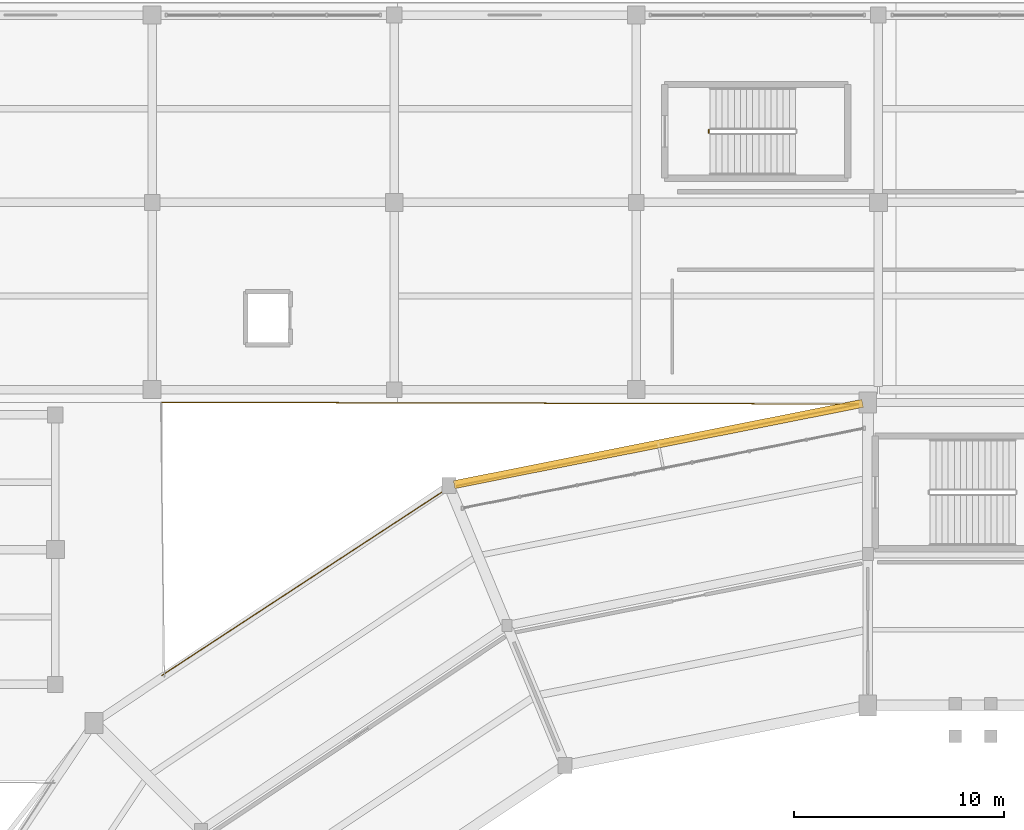
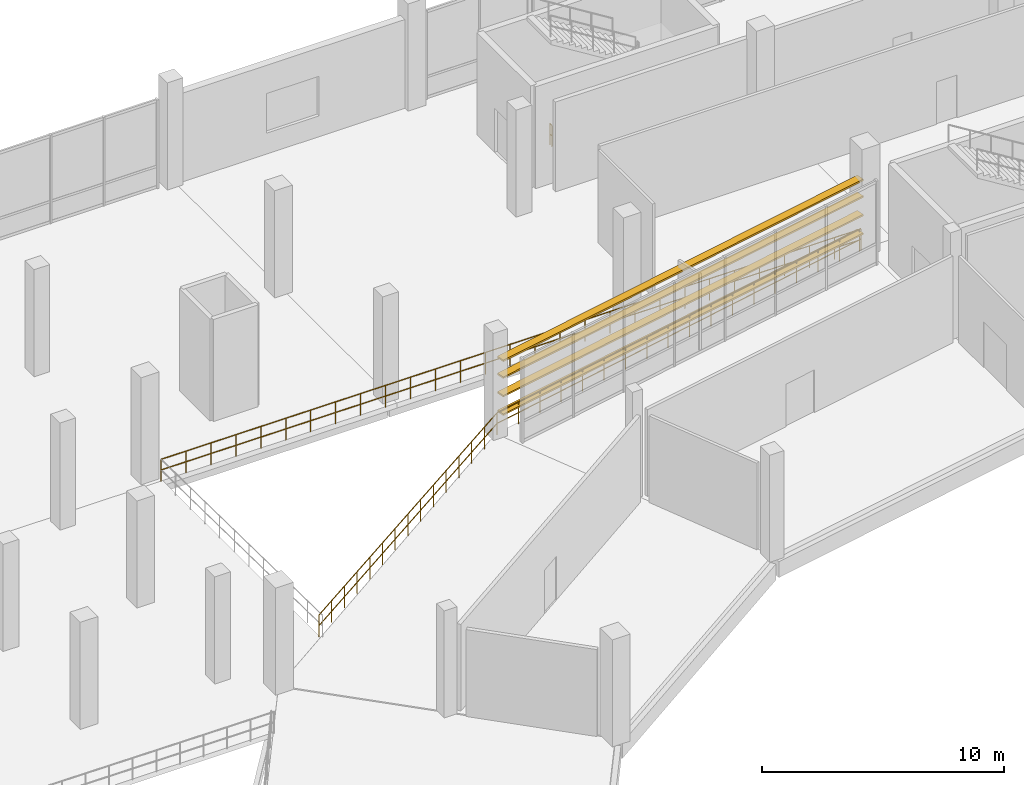
# One storey, part 108 of 114: 4 railings, 4 shading devices.
"""IFC4 building model written with IfcOpenShell, lengths in metres."""

from ifc_helpers import new_model, si_unit, direction, frame, origin, origin_2d, place, context, subcontext, project, spatial, rectangle, circle, extrude, material, layer, layer_set, type_object, element, save


model = new_model("IFC4")

# Units and contexts
model_context = context("Model", 3, precision=1e-05, world=origin(), true_north=direction((0.0, 1.0)))
body_context = subcontext(model_context, "Body", "Model", "MODEL_VIEW")
ifc_project = project(units=[si_unit("LENGTHUNIT", "METRE"), si_unit("AREAUNIT", "SQUARE_METRE"), si_unit("VOLUMEUNIT", "CUBIC_METRE"), si_unit("PLANEANGLEUNIT", "RADIAN"), si_unit("MASSUNIT", "GRAM", prefix="KILO")], contexts=[model_context])

# Site, building, storey
site_placement = place(None, origin())
site = spatial("IfcSite", under=ifc_project, at=site_placement, CompositionType="ELEMENT")
building_placement = place(site_placement, origin())
building = spatial("IfcBuilding", under=site, at=building_placement, Name="Candeia Ridge Stadium", CompositionType="ELEMENT")
storey_placement = place(building_placement, frame((0.0, 0.0, 5.39990234375)))
storey = spatial("IfcBuildingStorey", under=building, at=storey_placement, Name="L01", CompositionType="ELEMENT", Elevation=5.39990234375)

# Railings
ifc_material_1 = material(Name="Galvanized Powder-Coated Steel", Category="steel")
ifc_layer_1 = layer(ifc_material_1, 0.074951171875, Name="Galvanized Powder-Coated Steel", Category="steel")
ifc_layer_set_1 = layer_set([ifc_layer_1], Name="Galvanized Powder-Coated Steel")
railing_type_1 = type_object("IfcRailingType", Name="Spectator Bowl Front Guardrail 1120", PredefinedType="GUARDRAIL", material=ifc_layer_set_1)
railing_1_placement = place(storey_placement, frame((37.45556640625, 134.020751953125, 0.0)))
element("IfcRailing", 1, at=railing_1_placement, inside=storey, type_object=railing_type_1, Name="Deck edge safety guardrail GR-DE-L01-0039", PredefinedType="GUARDRAIL", context=body_context, shape_type="SweptSolid", body=[
    extrude(circle(Radius=0.02392578125, at=origin_2d()), frame((0.0, 0.0, 1.09619140625), z_axis=(0.836677098571, 0.547696478651, 0.0), x_axis=(-0.547696478651, 0.836677098571, 0.0)), (0.0, 0.0, 1.0), 16.3271484375),
    extrude(circle(Radius=0.02392578125, at=origin_2d()), frame((0.0, 0.0, 0.56005859375), z_axis=(0.836677098571, 0.547696478651, 0.0), x_axis=(-0.547696478651, 0.836677098571, 0.0)), (0.0, 0.0, 1.0), 16.3271484375),
    extrude(circle(Radius=0.02099609375, at=origin_2d()), origin(), (0.0, 0.0, 1.0), 1.072021484375),
    extrude(circle(Radius=0.02099609375, at=origin_2d()), frame((0.975830078125, 0.638671875, 0.0)), (0.0, 0.0, 1.0), 1.072021484375),
    extrude(circle(Radius=0.02099609375, at=origin_2d()), frame((1.951416015625, 1.277587890625, 0.0)), (0.0, 0.0, 1.0), 1.072021484375),
    extrude(circle(Radius=0.02099609375, at=origin_2d()), frame((2.92724609375, 1.916259765625, 0.0)), (0.0, 0.0, 1.0), 1.072021484375),
    extrude(circle(Radius=0.02099609375, at=origin_2d()), frame((3.903076171875, 2.554931640625, 0.0)), (0.0, 0.0, 1.0), 1.072021484375),
    extrude(circle(Radius=0.02099609375, at=origin_2d()), frame((4.87890625, 3.193603515625, 0.0)), (0.0, 0.0, 1.0), 1.072021484375),
    extrude(circle(Radius=0.02099609375, at=origin_2d()), frame((5.8544921875, 3.83251953125, 0.0)), (0.0, 0.0, 1.0), 1.072021484375),
    extrude(circle(Radius=0.02099609375, at=origin_2d()), frame((6.830322265625, 4.47119140625, 0.0)), (0.0, 0.0, 1.0), 1.072021484375),
    extrude(circle(Radius=0.02099609375, at=origin_2d()), frame((7.80615234375, 5.10986328125, 0.0)), (0.0, 0.0, 1.0), 1.072021484375),
    extrude(circle(Radius=0.02099609375, at=origin_2d()), frame((8.78173828125, 5.748779296875, 0.0)), (0.0, 0.0, 1.0), 1.072021484375),
    extrude(circle(Radius=0.02099609375, at=origin_2d()), frame((9.757568359375, 6.387451171875, 0.0)), (0.0, 0.0, 1.0), 1.072021484375),
    extrude(circle(Radius=0.02099609375, at=origin_2d()), frame((10.7333984375, 7.026123046875, 0.0)), (0.0, 0.0, 1.0), 1.072021484375),
    extrude(circle(Radius=0.02099609375, at=origin_2d()), frame((11.709228515625, 7.664794921875, 0.0)), (0.0, 0.0, 1.0), 1.072021484375),
    extrude(circle(Radius=0.02099609375, at=origin_2d()), frame((12.684814453125, 8.3037109375, 0.0)), (0.0, 0.0, 1.0), 1.072021484375),
    extrude(circle(Radius=0.02099609375, at=origin_2d()), frame((13.66064453125, 8.9423828125, 0.0)), (0.0, 0.0, 1.0), 1.072021484375),
])
railing_2_placement = place(storey_placement, frame((51.1162109375, 142.963134765625, 0.0)))
element("IfcRailing", 2, at=railing_2_placement, inside=storey, type_object=railing_type_1, Name="Deck edge safety guardrail GR-DE-L01-0040", PredefinedType="GUARDRAIL", context=body_context, shape_type="SweptSolid", body=[
    extrude(circle(Radius=0.02392578125, at=origin_2d()), frame((0.0, 0.0, 1.09619140625), z_axis=(0.980074126306, 0.198632089417, 0.0), x_axis=(-0.198632089417, 0.980074126306, 0.0)), (0.0, 0.0, 1.0), 20.055419921875),
    extrude(circle(Radius=0.02392578125, at=origin_2d()), frame((0.0, 0.0, 0.56005859375), z_axis=(0.980074126306, 0.198632089417, 0.0), x_axis=(-0.198632089417, 0.980074126306, 0.0)), (0.0, 0.0, 1.0), 20.055419921875),
    extrude(circle(Radius=0.02099609375, at=origin_2d()), origin(), (0.0, 0.0, 1.0), 1.072021484375),
    extrude(circle(Radius=0.02099609375, at=origin_2d()), frame((1.15625, 0.234375, 0.0)), (0.0, 0.0, 1.0), 1.072021484375),
    extrude(circle(Radius=0.02099609375, at=origin_2d()), frame((2.3125, 0.46875, 0.0)), (0.0, 0.0, 1.0), 1.072021484375),
    extrude(circle(Radius=0.02099609375, at=origin_2d()), frame((3.46875, 0.702880859375, 0.0)), (0.0, 0.0, 1.0), 1.072021484375),
    extrude(circle(Radius=0.02099609375, at=origin_2d()), frame((4.625, 0.937255859375, 0.0)), (0.0, 0.0, 1.0), 1.072021484375),
    extrude(circle(Radius=0.02099609375, at=origin_2d()), frame((5.781005859375, 1.171630859375, 0.0)), (0.0, 0.0, 1.0), 1.072021484375),
    extrude(circle(Radius=0.02099609375, at=origin_2d()), frame((6.937255859375, 1.406005859375, 0.0)), (0.0, 0.0, 1.0), 1.072021484375),
    extrude(circle(Radius=0.02099609375, at=origin_2d()), frame((8.093505859375, 1.640380859375, 0.0)), (0.0, 0.0, 1.0), 1.072021484375),
    extrude(circle(Radius=0.02099609375, at=origin_2d()), frame((9.249755859375, 1.874755859375, 0.0)), (0.0, 0.0, 1.0), 1.072021484375),
    extrude(circle(Radius=0.02099609375, at=origin_2d()), frame((10.406005859375, 2.10888671875, 0.0)), (0.0, 0.0, 1.0), 1.072021484375),
    extrude(circle(Radius=0.02099609375, at=origin_2d()), frame((11.562255859375, 2.34326171875, 0.0)), (0.0, 0.0, 1.0), 1.072021484375),
    extrude(circle(Radius=0.02099609375, at=origin_2d()), frame((12.718505859375, 2.57763671875, 0.0)), (0.0, 0.0, 1.0), 1.072021484375),
    extrude(circle(Radius=0.02099609375, at=origin_2d()), frame((13.874755859375, 2.81201171875, 0.0)), (0.0, 0.0, 1.0), 1.072021484375),
    extrude(circle(Radius=0.02099609375, at=origin_2d()), frame((15.03076171875, 3.04638671875, 0.0)), (0.0, 0.0, 1.0), 1.072021484375),
    extrude(circle(Radius=0.02099609375, at=origin_2d()), frame((16.18701171875, 3.28076171875, 0.0)), (0.0, 0.0, 1.0), 1.072021484375),
    extrude(circle(Radius=0.02099609375, at=origin_2d()), frame((17.34326171875, 3.514892578125, 0.0)), (0.0, 0.0, 1.0), 1.072021484375),
    extrude(circle(Radius=0.02099609375, at=origin_2d()), frame((18.49951171875, 3.749267578125, 0.0)), (0.0, 0.0, 1.0), 1.072021484375),
    extrude(circle(Radius=0.02099609375, at=origin_2d()), frame((19.65576171875, 3.983642578125, 0.0)), (0.0, 0.0, 1.0), 1.072021484375),
])
railing_3_placement = place(storey_placement, frame((70.686279296875, 146.919921875, 0.0)))
element("IfcRailing", 3, at=railing_3_placement, inside=storey, type_object=railing_type_1, Name="Deck edge safety guardrail GR-DE-L01-0041", PredefinedType="GUARDRAIL", context=body_context, shape_type="SweptSolid", body=[
    extrude(circle(Radius=0.02392578125, at=origin_2d()), frame((0.0, 0.0, 1.09619140625), z_axis=(-0.999997102754, 0.002407173469, 0.0), x_axis=(-0.002407173469, -0.999997102754, 0.0)), (0.0, 0.0, 1.0), 33.266357421875),
    extrude(circle(Radius=0.02392578125, at=origin_2d()), frame((0.0, 0.0, 0.56005859375), z_axis=(-0.999997102754, 0.002407173469, 0.0), x_axis=(-0.002407173469, -0.999997102754, 0.0)), (0.0, 0.0, 1.0), 33.266357421875),
    extrude(circle(Radius=0.02099609375, at=origin_2d()), origin(), (0.0, 0.0, 1.0), 1.072021484375),
    extrude(circle(Radius=0.02099609375, at=origin_2d()), frame((-1.18798828125, 0.0029296875, 0.0)), (0.0, 0.0, 1.0), 1.072021484375),
    extrude(circle(Radius=0.02099609375, at=origin_2d()), frame((-2.376220703125, 0.005615234375, 0.0)), (0.0, 0.0, 1.0), 1.072021484375),
    extrude(circle(Radius=0.02099609375, at=origin_2d()), frame((-3.564208984375, 0.008544921875, 0.0)), (0.0, 0.0, 1.0), 1.072021484375),
    extrude(circle(Radius=0.02099609375, at=origin_2d()), frame((-4.75244140625, 0.011474609375, 0.0)), (0.0, 0.0, 1.0), 1.072021484375),
    extrude(circle(Radius=0.02099609375, at=origin_2d()), frame((-5.9404296875, 0.014404296875, 0.0)), (0.0, 0.0, 1.0), 1.072021484375),
    extrude(circle(Radius=0.02099609375, at=origin_2d()), frame((-7.12841796875, 0.01708984375, 0.0)), (0.0, 0.0, 1.0), 1.072021484375),
    extrude(circle(Radius=0.02099609375, at=origin_2d()), frame((-8.316650390625, 0.02001953125, 0.0)), (0.0, 0.0, 1.0), 1.072021484375),
    extrude(circle(Radius=0.02099609375, at=origin_2d()), frame((-9.504638671875, 0.02294921875, 0.0)), (0.0, 0.0, 1.0), 1.072021484375),
    extrude(circle(Radius=0.02099609375, at=origin_2d()), frame((-10.69287109375, 0.025634765625, 0.0)), (0.0, 0.0, 1.0), 1.072021484375),
    extrude(circle(Radius=0.02099609375, at=origin_2d()), frame((-11.880859375, 0.028564453125, 0.0)), (0.0, 0.0, 1.0), 1.072021484375),
    extrude(circle(Radius=0.02099609375, at=origin_2d()), frame((-13.06884765625, 0.031494140625, 0.0)), (0.0, 0.0, 1.0), 1.072021484375),
    extrude(circle(Radius=0.02099609375, at=origin_2d()), frame((-14.257080078125, 0.034423828125, 0.0)), (0.0, 0.0, 1.0), 1.072021484375),
    extrude(circle(Radius=0.02099609375, at=origin_2d()), frame((-15.445068359375, 0.037109375, 0.0)), (0.0, 0.0, 1.0), 1.072021484375),
    extrude(circle(Radius=0.02099609375, at=origin_2d()), frame((-16.63330078125, 0.0400390625, 0.0)), (0.0, 0.0, 1.0), 1.072021484375),
    extrude(circle(Radius=0.02099609375, at=origin_2d()), frame((-17.8212890625, 0.04296875, 0.0)), (0.0, 0.0, 1.0), 1.072021484375),
    extrude(circle(Radius=0.02099609375, at=origin_2d()), frame((-19.00927734375, 0.045654296875, 0.0)), (0.0, 0.0, 1.0), 1.072021484375),
    extrude(circle(Radius=0.02099609375, at=origin_2d()), frame((-20.197509765625, 0.048583984375, 0.0)), (0.0, 0.0, 1.0), 1.072021484375),
    extrude(circle(Radius=0.02099609375, at=origin_2d()), frame((-21.385498046875, 0.051513671875, 0.0)), (0.0, 0.0, 1.0), 1.072021484375),
    extrude(circle(Radius=0.02099609375, at=origin_2d()), frame((-22.573486328125, 0.054443359375, 0.0)), (0.0, 0.0, 1.0), 1.072021484375),
    extrude(circle(Radius=0.02099609375, at=origin_2d()), frame((-23.76171875, 0.05712890625, 0.0)), (0.0, 0.0, 1.0), 1.072021484375),
    extrude(circle(Radius=0.02099609375, at=origin_2d()), frame((-24.94970703125, 0.06005859375, 0.0)), (0.0, 0.0, 1.0), 1.072021484375),
    extrude(circle(Radius=0.02099609375, at=origin_2d()), frame((-26.137939453125, 0.06298828125, 0.0)), (0.0, 0.0, 1.0), 1.072021484375),
    extrude(circle(Radius=0.02099609375, at=origin_2d()), frame((-27.325927734375, 0.065673828125, 0.0)), (0.0, 0.0, 1.0), 1.072021484375),
    extrude(circle(Radius=0.02099609375, at=origin_2d()), frame((-28.513916015625, 0.068603515625, 0.0)), (0.0, 0.0, 1.0), 1.072021484375),
    extrude(circle(Radius=0.02099609375, at=origin_2d()), frame((-29.7021484375, 0.071533203125, 0.0)), (0.0, 0.0, 1.0), 1.072021484375),
    extrude(circle(Radius=0.02099609375, at=origin_2d()), frame((-30.89013671875, 0.074462890625, 0.0)), (0.0, 0.0, 1.0), 1.072021484375),
    extrude(circle(Radius=0.02099609375, at=origin_2d()), frame((-32.078369140625, 0.0771484375, 0.0)), (0.0, 0.0, 1.0), 1.072021484375),
    extrude(circle(Radius=0.02099609375, at=origin_2d()), frame((-33.266357421875, 0.080078125, 0.0)), (0.0, 0.0, 1.0), 1.072021484375),
])
ifc_layer_2 = layer(ifc_material_1, 0.06005859375, Name="Galvanized Powder-Coated Steel", Category="steel")
ifc_layer_set_2 = layer_set([ifc_layer_2], Name="Galvanized Powder-Coated Steel")
railing_type_2 = type_object("IfcRailingType", Name="Stair Well Guardrail 1100", PredefinedType="GUARDRAIL", material=ifc_layer_set_2)
railing_4_placement = place(storey_placement, frame((63.449951171875, 159.800048828125, 0.0)))
element("IfcRailing", 4, at=railing_4_placement, inside=storey, type_object=railing_type_2, Name="L01 ST15 stair guard 4", PredefinedType="GUARDRAIL", context=body_context, shape_type="SweptSolid", body=[
    extrude(circle(Radius=0.02392578125, at=origin_2d()), frame((0.0, 0.0, 1.076171875), z_axis=(0.0, 1.0, 0.0), x_axis=(-1.0, 0.0, 0.0)), (0.0, 0.0, 1.0), 0.14990234375),
    extrude(circle(Radius=0.02392578125, at=origin_2d()), frame((0.0, 0.0, 0.550048828125), z_axis=(0.0, 1.0, 0.0), x_axis=(-1.0, 0.0, 0.0)), (0.0, 0.0, 1.0), 0.14990234375),
    extrude(circle(Radius=0.02099609375, at=origin_2d()), origin(), (0.0, 0.0, 1.0), 1.052001953125),
    extrude(circle(Radius=0.02099609375, at=origin_2d()), frame((0.0, 0.14990234375, 0.0)), (0.0, 0.0, 1.0), 1.052001953125),
])

# Shading devices
ifc_material_2 = material(Name="Aluminium Anodized Warm Bronze", Category="aluminium")
shading_device_type = type_object("IfcShadingDeviceType", Name="Weathered Bronze Horizontal Solar Rib 380x85", PredefinedType="JALOUSIE", material=ifc_material_2)
for number, where, z_axis, x_axis, name in (
    (5, (61.05029296875, 145.020751953125, 0.8916015625), (0.0, 0.0, 1.0), (-0.980785282416, -0.195090311899, 0.0), "Weathered bronze horizontal solar rib L01 bay 08-1"),
    (6, (61.05029296875, 145.020751953125, 1.825439453125), (0.0, 0.0, 1.0), (-0.980785282416, -0.195090311899, 0.0), "Weathered bronze horizontal solar rib L01 bay 08-2"),
    (7, (61.05029296875, 145.020751953125, 2.75927734375), (0.0, 0.0, 1.0), (-0.980785282416, -0.195090311899, 0.0), "Weathered bronze horizontal solar rib L01 bay 08-3"),
    (8, (61.05029296875, 145.020751953125, 3.6083984375), (0.0, 0.0, 1.0), (-0.980785282416, -0.195090311899, 0.0), "Weathered bronze horizontal solar rib L01 bay 08-4"),
):
    element("IfcShadingDevice", number, at=place(storey_placement, frame(where, z_axis=z_axis, x_axis=x_axis)), inside=storey, type_object=shading_device_type, Name=name, PredefinedType="JALOUSIE", context=body_context, shape_type="SweptSolid", body=[
        extrude(rectangle(XDim=19.789306640625, YDim=0.3798828125, at=origin_2d()), origin(), (0.0, 0.0, 1.0), 0.0849609375),
    ])

save(model, "model.ifc")
